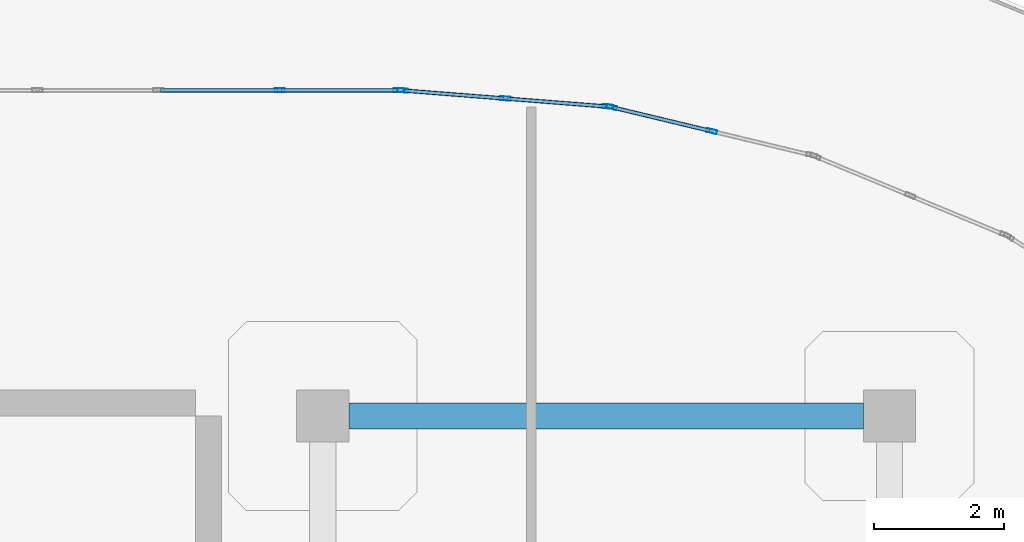
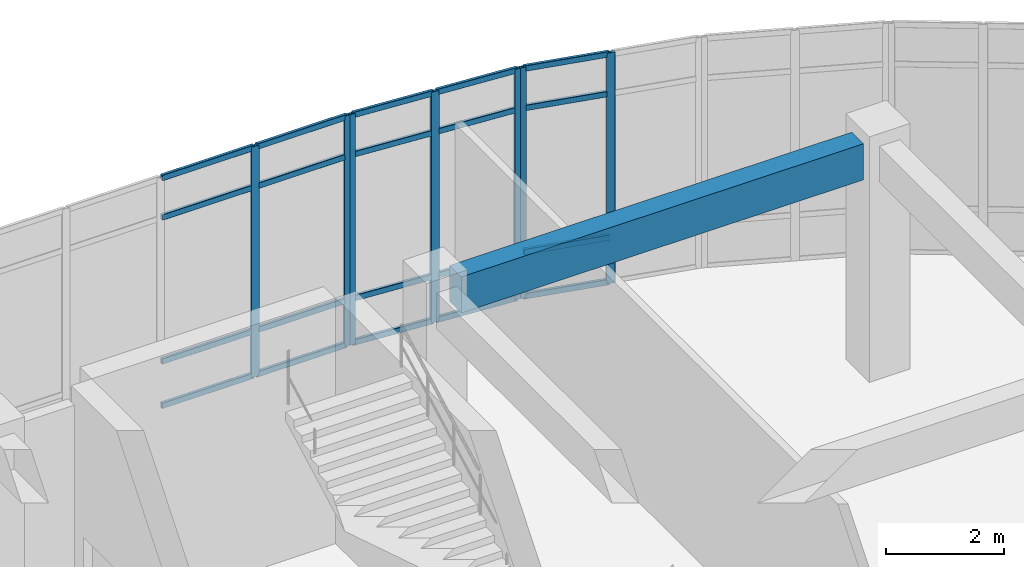
# One storey, part 69 of 124: 27 members, 1 beam, 3 elements without a shape of their own.
"""IFC4 building model written with IfcOpenShell, lengths in metres."""

from ifc_helpers import new_model, si_unit, derived_unit, direction, frame, origin, origin_2d, place, context, subcontext, project, spatial, rectangle, hollow_rectangle, extrude, material, layer, layer_set, material_profile, profile_set, type_object, element, aggregate, save


model = new_model("IFC4")

# Units and contexts
model_context = context("Model", 3, precision=1e-05, world=origin(), true_north=direction((0.0, 1.0)))
body_context = subcontext(model_context, "Body", "Model", "MODEL_VIEW")
ifc_project = project(units=[si_unit("LENGTHUNIT", "METRE"), si_unit("AREAUNIT", "SQUARE_METRE"), si_unit("VOLUMEUNIT", "CUBIC_METRE"), si_unit("PLANEANGLEUNIT", "RADIAN"), si_unit("MASSUNIT", "GRAM", prefix="KILO"), derived_unit("THERMALTRANSMITTANCEUNIT", [(si_unit("MASSUNIT", "GRAM", prefix="KILO"), 1), (si_unit("TIMEUNIT", "SECOND"), -3), (si_unit("THERMODYNAMICTEMPERATUREUNIT", "KELVIN"), -1)])], contexts=[model_context])

# Site, building, storey
site_placement = place(None, origin())
site = spatial("IfcSite", under=ifc_project, at=site_placement, CompositionType="ELEMENT")
building_placement = place(site_placement, origin())
building = spatial("IfcBuilding", under=site, at=building_placement, Name="Qinzheling Arcade Emporium", CompositionType="ELEMENT")
storey_placement = place(building_placement, frame((0.0, 0.0, 16.5)))
storey = spatial("IfcBuildingStorey", under=building, at=storey_placement, Name="L04", CompositionType="ELEMENT", Elevation=16.5)

# Curtain wall, members
ifc_material_1 = material(Name="Anodised aluminium and solar-control double glazing", Category="aluminium")
ifc_layer_1 = layer(ifc_material_1, 0.159912109375, Name="Anodised aluminium and solar-control double glazing", Category="aluminium")
ifc_layer_set_1 = layer_set([ifc_layer_1], Name="Anodised aluminium and solar-control double glazing")
curtain_wall_type_1 = type_object("IfcCurtainWallType", Name="Arcade Portal Glazed Curtain Wall", PredefinedType="NOTDEFINED", material=ifc_layer_set_1)
curtain_wall_1_placement = place(storey_placement, origin())
curtain_wall_1 = element("IfcCurtainWall", 1, at=curtain_wall_1_placement, inside=storey, type_object=curtain_wall_type_1, Name="Curtain Wall CW-L04-263", PredefinedType="NOTDEFINED")
ifc_material_2 = material(Name="Anodised aluminium 6063-T6", Category="aluminium")
ifc_material_profile_1 = material_profile(ifc_material_2, hollow_rectangle(XDim=0.06005859375, YDim=0.159912109375, WallThickness=0.00390625, InnerFilletRadius=0.00390625, OuterFilletRadius=0.008056640625, at=origin_2d()), Name="RHS 160x60x4", Category="aluminium")
ifc_profile_set_1 = profile_set([ifc_material_profile_1], Name="Anodised aluminium 6063-T6")
member_type_1 = type_object("IfcMemberType", Name="Curtain Wall Mullion RHS160x60", PredefinedType="MULLION", material=ifc_profile_set_1)
member_1_placement = place(storey_placement, frame((121.140380859375, 111.800048828125, 0.0), z_axis=(0.0, 0.0, 1.0), x_axis=(0.0, 1.0, 0.0)))
member_1 = element("IfcMember", 2, at=member_1_placement, type_object=member_type_1, Name="CW05 mullion 5", PredefinedType="MULLION", context=body_context, shape_type="SweptSolid", body=[
    extrude(hollow_rectangle(XDim=0.06005859375, YDim=0.159912109375, WallThickness=0.00390625, InnerFilletRadius=0.00390625, OuterFilletRadius=0.008056640625, at=origin_2d()), origin(), (0.0, 0.0, 1.0), 4.7900390625),
])
member_2_placement = place(storey_placement, frame((122.969970703125, 111.800048828125, 0.0), z_axis=(0.0, 0.0, 1.0), x_axis=(0.0, 1.0, 0.0)))
member_2 = element("IfcMember", 3, at=member_2_placement, type_object=member_type_1, Name="CW05 mullion 6", PredefinedType="MULLION", context=body_context, shape_type="SweptSolid", body=[
    extrude(hollow_rectangle(XDim=0.06005859375, YDim=0.159912109375, WallThickness=0.00390625, InnerFilletRadius=0.00390625, OuterFilletRadius=0.008056640625, at=origin_2d()), origin(), (0.0, 0.0, 1.0), 4.7900390625),
])

ifc_layer_2 = layer(ifc_material_1, 0.159912109375, Name="Anodised aluminium and solar-control double glazing", Category="aluminium")
ifc_layer_set_2 = layer_set([ifc_layer_2], Name="Anodised aluminium and solar-control double glazing")
curtain_wall_type_2 = type_object("IfcCurtainWallType", Name="Curved Ribbon Sales Curtain Wall", PredefinedType="NOTDEFINED", material=ifc_layer_set_2)
curtain_wall_2_placement = place(storey_placement, origin())
curtain_wall_2 = element("IfcCurtainWall", 4, at=curtain_wall_2_placement, inside=storey, type_object=curtain_wall_type_2, Name="Curtain Wall CW-L04-264", PredefinedType="NOTDEFINED")
member_3_placement = place(storey_placement, frame((123.030029296875, 111.797607421875, 0.0), z_axis=(0.0, 0.0, 1.0), x_axis=(0.078336637005, 0.996926963876, 0.0)))
member_3 = element("IfcMember", 5, at=member_3_placement, type_object=member_type_1, Name="CW02 mullion 1", PredefinedType="MULLION", context=body_context, shape_type="SweptSolid", body=[
    extrude(hollow_rectangle(XDim=0.06005859375, YDim=0.159912109375, WallThickness=0.00390625, InnerFilletRadius=0.00390625, OuterFilletRadius=0.008056640625, at=origin_2d()), origin(), (0.0, 0.0, 1.0), 4.7900390625),
])
member_4_placement = place(storey_placement, frame((124.603515625, 111.674072265625, 0.0), z_axis=(0.0, 0.0, 1.0), x_axis=(0.078336637005, 0.996926963876, 0.0)))
member_4 = element("IfcMember", 6, at=member_4_placement, type_object=member_type_1, Name="CW02 mullion 2", PredefinedType="MULLION", context=body_context, shape_type="SweptSolid", body=[
    extrude(hollow_rectangle(XDim=0.06005859375, YDim=0.159912109375, WallThickness=0.00390625, InnerFilletRadius=0.00390625, OuterFilletRadius=0.008056640625, at=origin_2d()), origin(), (0.0, 0.0, 1.0), 4.7900390625),
])
member_5_placement = place(storey_placement, frame((126.177001953125, 111.55029296875, 0.0), z_axis=(0.0, 0.0, 1.0), x_axis=(0.078336637005, 0.996926963876, 0.0)))
member_5 = element("IfcMember", 7, at=member_5_placement, type_object=member_type_1, Name="CW02 mullion 3", PredefinedType="MULLION", context=body_context, shape_type="SweptSolid", body=[
    extrude(hollow_rectangle(XDim=0.06005859375, YDim=0.159912109375, WallThickness=0.00390625, InnerFilletRadius=0.00390625, OuterFilletRadius=0.008056640625, at=origin_2d()), origin(), (0.0, 0.0, 1.0), 4.7900390625),
])

curtain_wall_3_placement = place(storey_placement, origin())
curtain_wall_3 = element("IfcCurtainWall", 8, at=curtain_wall_3_placement, inside=storey, type_object=curtain_wall_type_2, Name="Curtain Wall CW-L04-265", PredefinedType="NOTDEFINED")
member_6_placement = place(storey_placement, frame((126.236083984375, 111.541015625, 0.0), z_axis=(0.0, 0.0, 1.0), x_axis=(0.233455251725, 0.972367546477, 0.0)))
member_6 = element("IfcMember", 9, at=member_6_placement, type_object=member_type_1, Name="CW02 mullion 1", PredefinedType="MULLION", context=body_context, shape_type="SweptSolid", body=[
    extrude(hollow_rectangle(XDim=0.06005859375, YDim=0.159912109375, WallThickness=0.00390625, InnerFilletRadius=0.00390625, OuterFilletRadius=0.008056640625, at=origin_2d()), origin(), (0.0, 0.0, 1.0), 4.7900390625),
])
member_7_placement = place(storey_placement, frame((127.77099609375, 111.172607421875, 0.0), z_axis=(0.0, 0.0, 1.0), x_axis=(0.233455251725, 0.972367546477, 0.0)))
member_7 = element("IfcMember", 10, at=member_7_placement, type_object=member_type_1, Name="CW02 mullion 2", PredefinedType="MULLION", context=body_context, shape_type="SweptSolid", body=[
    extrude(hollow_rectangle(XDim=0.06005859375, YDim=0.159912109375, WallThickness=0.00390625, InnerFilletRadius=0.00390625, OuterFilletRadius=0.008056640625, at=origin_2d()), origin(), (0.0, 0.0, 1.0), 4.7900390625),
])

# Member
ifc_material_profile_2 = material_profile(ifc_material_2, hollow_rectangle(XDim=0.06005859375, YDim=0.1201171875, WallThickness=0.00390625, InnerFilletRadius=0.00390625, OuterFilletRadius=0.008056640625, at=origin_2d()), Name="RHS 120x60x4", Category="aluminium")
ifc_profile_set_2 = profile_set([ifc_material_profile_2], Name="Anodised aluminium 6063-T6")
member_type_2 = type_object("IfcMemberType", Name="Curtain Wall Transom RHS120x60", PredefinedType="USERDEFINED", material=ifc_profile_set_2)
member_8_placement = place(storey_placement, frame((119.310791015625, 111.800048828125, 0.030029296875), z_axis=(1.0, 0.0, 0.0), x_axis=(0.0, 1.0, 0.0)))
member_8 = element("IfcMember", 11, at=member_8_placement, type_object=member_type_2, Name="CW05 transom 4.1", ObjectType="TRANSOM", PredefinedType="USERDEFINED", context=body_context, shape_type="SweptSolid", body=[
    extrude(hollow_rectangle(XDim=0.06005859375, YDim=0.1201171875, WallThickness=0.00390625, InnerFilletRadius=0.00390625, OuterFilletRadius=0.008056640625, at=origin_2d()), origin(), (0.0, 0.0, 1.0), 1.799560546875),
])

member_9_placement = place(storey_placement, frame((119.310791015625, 111.800048828125, 0.949951171875), z_axis=(1.0, 0.0, 0.0), x_axis=(0.0, 1.0, 0.0)))
member_9 = element("IfcMember", 12, at=member_9_placement, type_object=member_type_2, Name="CW05 transom 4.2", ObjectType="TRANSOM", PredefinedType="USERDEFINED", context=body_context, shape_type="SweptSolid", body=[
    extrude(hollow_rectangle(XDim=0.06005859375, YDim=0.1201171875, WallThickness=0.00390625, InnerFilletRadius=0.00390625, OuterFilletRadius=0.008056640625, at=origin_2d()), origin(), (0.0, 0.0, 1.0), 1.799560546875),
])

member_10_placement = place(storey_placement, frame((119.310791015625, 111.800048828125, 3.93994140625), z_axis=(1.0, 0.0, 0.0), x_axis=(0.0, 1.0, 0.0)))
member_10 = element("IfcMember", 13, at=member_10_placement, type_object=member_type_2, Name="CW05 transom 4.3", ObjectType="TRANSOM", PredefinedType="USERDEFINED", context=body_context, shape_type="SweptSolid", body=[
    extrude(hollow_rectangle(XDim=0.06005859375, YDim=0.1201171875, WallThickness=0.00390625, InnerFilletRadius=0.00390625, OuterFilletRadius=0.008056640625, at=origin_2d()), origin(), (0.0, 0.0, 1.0), 1.799560546875),
])

member_11_placement = place(storey_placement, frame((119.310791015625, 111.800048828125, 4.760009765625), z_axis=(1.0, 0.0, 0.0), x_axis=(0.0, 1.0, 0.0)))
member_11 = element("IfcMember", 14, at=member_11_placement, type_object=member_type_2, Name="CW05 transom 4.4", ObjectType="TRANSOM", PredefinedType="USERDEFINED", context=body_context, shape_type="SweptSolid", body=[
    extrude(hollow_rectangle(XDim=0.06005859375, YDim=0.1201171875, WallThickness=0.00390625, InnerFilletRadius=0.00390625, OuterFilletRadius=0.008056640625, at=origin_2d()), origin(), (0.0, 0.0, 1.0), 1.799560546875),
])

member_12_placement = place(storey_placement, frame((121.17041015625, 111.800048828125, 0.030029296875), z_axis=(1.0, 0.0, 0.0), x_axis=(0.0, 1.0, 0.0)))
member_12 = element("IfcMember", 15, at=member_12_placement, type_object=member_type_2, Name="CW05 transom 5.1", ObjectType="TRANSOM", PredefinedType="USERDEFINED", context=body_context, shape_type="SweptSolid", body=[
    extrude(hollow_rectangle(XDim=0.06005859375, YDim=0.1201171875, WallThickness=0.00390625, InnerFilletRadius=0.00390625, OuterFilletRadius=0.008056640625, at=origin_2d()), origin(), (0.0, 0.0, 1.0), 1.76953125),
])

member_13_placement = place(storey_placement, frame((121.17041015625, 111.800048828125, 0.949951171875), z_axis=(1.0, 0.0, 0.0), x_axis=(0.0, 1.0, 0.0)))
member_13 = element("IfcMember", 16, at=member_13_placement, type_object=member_type_2, Name="CW05 transom 5.2", ObjectType="TRANSOM", PredefinedType="USERDEFINED", context=body_context, shape_type="SweptSolid", body=[
    extrude(hollow_rectangle(XDim=0.06005859375, YDim=0.1201171875, WallThickness=0.00390625, InnerFilletRadius=0.00390625, OuterFilletRadius=0.008056640625, at=origin_2d()), origin(), (0.0, 0.0, 1.0), 1.76953125),
])

member_14_placement = place(storey_placement, frame((121.17041015625, 111.800048828125, 3.93994140625), z_axis=(1.0, 0.0, 0.0), x_axis=(0.0, 1.0, 0.0)))
member_14 = element("IfcMember", 17, at=member_14_placement, type_object=member_type_2, Name="CW05 transom 5.3", ObjectType="TRANSOM", PredefinedType="USERDEFINED", context=body_context, shape_type="SweptSolid", body=[
    extrude(hollow_rectangle(XDim=0.06005859375, YDim=0.1201171875, WallThickness=0.00390625, InnerFilletRadius=0.00390625, OuterFilletRadius=0.008056640625, at=origin_2d()), origin(), (0.0, 0.0, 1.0), 1.76953125),
])

member_15_placement = place(storey_placement, frame((121.17041015625, 111.800048828125, 4.760009765625), z_axis=(1.0, 0.0, 0.0), x_axis=(0.0, 1.0, 0.0)))
member_15 = element("IfcMember", 18, at=member_15_placement, type_object=member_type_2, Name="CW05 transom 5.4", ObjectType="TRANSOM", PredefinedType="USERDEFINED", context=body_context, shape_type="SweptSolid", body=[
    extrude(hollow_rectangle(XDim=0.06005859375, YDim=0.1201171875, WallThickness=0.00390625, InnerFilletRadius=0.00390625, OuterFilletRadius=0.008056640625, at=origin_2d()), origin(), (0.0, 0.0, 1.0), 1.76953125),
])

aggregate(curtain_wall_1, [member_1, member_2, member_8, member_9, member_10, member_11, member_12, member_13, member_14, member_15])

member_16_placement = place(storey_placement, frame((123.059814453125, 111.79541015625, 0.030029296875), z_axis=(0.996916712186, -0.07846699283, 0.0), x_axis=(0.07846699283, 0.996916712186, 0.0)))
member_16 = element("IfcMember", 19, at=member_16_placement, type_object=member_type_2, Name="CW02 transom 1.1", ObjectType="TRANSOM", PredefinedType="USERDEFINED", context=body_context, shape_type="SweptSolid", body=[
    extrude(hollow_rectangle(XDim=0.06005859375, YDim=0.1201171875, WallThickness=0.00390625, InnerFilletRadius=0.00390625, OuterFilletRadius=0.008056640625, at=origin_2d()), origin(), (0.0, 0.0, 1.0), 1.518310546875),
])

member_17_placement = place(storey_placement, frame((123.059814453125, 111.79541015625, 0.949951171875), z_axis=(0.996916712186, -0.07846699283, 0.0), x_axis=(0.07846699283, 0.996916712186, 0.0)))
member_17 = element("IfcMember", 20, at=member_17_placement, type_object=member_type_2, Name="CW02 transom 1.2", ObjectType="TRANSOM", PredefinedType="USERDEFINED", context=body_context, shape_type="SweptSolid", body=[
    extrude(hollow_rectangle(XDim=0.06005859375, YDim=0.1201171875, WallThickness=0.00390625, InnerFilletRadius=0.00390625, OuterFilletRadius=0.008056640625, at=origin_2d()), origin(), (0.0, 0.0, 1.0), 1.518310546875),
])

member_18_placement = place(storey_placement, frame((123.059814453125, 111.79541015625, 3.93994140625), z_axis=(0.996916712186, -0.07846699283, 0.0), x_axis=(0.07846699283, 0.996916712186, 0.0)))
member_18 = element("IfcMember", 21, at=member_18_placement, type_object=member_type_2, Name="CW02 transom 1.3", ObjectType="TRANSOM", PredefinedType="USERDEFINED", context=body_context, shape_type="SweptSolid", body=[
    extrude(hollow_rectangle(XDim=0.06005859375, YDim=0.1201171875, WallThickness=0.00390625, InnerFilletRadius=0.00390625, OuterFilletRadius=0.008056640625, at=origin_2d()), origin(), (0.0, 0.0, 1.0), 1.518310546875),
])

member_19_placement = place(storey_placement, frame((123.059814453125, 111.79541015625, 4.760009765625), z_axis=(0.996916712186, -0.07846699283, 0.0), x_axis=(0.07846699283, 0.996916712186, 0.0)))
member_19 = element("IfcMember", 22, at=member_19_placement, type_object=member_type_2, Name="CW02 transom 1.4", ObjectType="TRANSOM", PredefinedType="USERDEFINED", context=body_context, shape_type="SweptSolid", body=[
    extrude(hollow_rectangle(XDim=0.06005859375, YDim=0.1201171875, WallThickness=0.00390625, InnerFilletRadius=0.00390625, OuterFilletRadius=0.008056640625, at=origin_2d()), origin(), (0.0, 0.0, 1.0), 1.518310546875),
])

member_20_placement = place(storey_placement, frame((124.63330078125, 111.671630859375, 0.030029296875), z_axis=(0.99693026334, -0.078294636066, 0.0), x_axis=(0.078294636066, 0.99693026334, 0.0)))
member_20 = element("IfcMember", 23, at=member_20_placement, type_object=member_type_2, Name="CW02 transom 2.1", ObjectType="TRANSOM", PredefinedType="USERDEFINED", context=body_context, shape_type="SweptSolid", body=[
    extrude(hollow_rectangle(XDim=0.06005859375, YDim=0.1201171875, WallThickness=0.00390625, InnerFilletRadius=0.00390625, OuterFilletRadius=0.008056640625, at=origin_2d()), origin(), (0.0, 0.0, 1.0), 1.5185546875),
])

member_21_placement = place(storey_placement, frame((124.63330078125, 111.671630859375, 0.949951171875), z_axis=(0.99693026334, -0.078294636066, 0.0), x_axis=(0.078294636066, 0.99693026334, 0.0)))
member_21 = element("IfcMember", 24, at=member_21_placement, type_object=member_type_2, Name="CW02 transom 2.2", ObjectType="TRANSOM", PredefinedType="USERDEFINED", context=body_context, shape_type="SweptSolid", body=[
    extrude(hollow_rectangle(XDim=0.06005859375, YDim=0.1201171875, WallThickness=0.00390625, InnerFilletRadius=0.00390625, OuterFilletRadius=0.008056640625, at=origin_2d()), origin(), (0.0, 0.0, 1.0), 1.5185546875),
])

member_22_placement = place(storey_placement, frame((124.63330078125, 111.671630859375, 3.93994140625), z_axis=(0.99693026334, -0.078294636066, 0.0), x_axis=(0.078294636066, 0.99693026334, 0.0)))
member_22 = element("IfcMember", 25, at=member_22_placement, type_object=member_type_2, Name="CW02 transom 2.3", ObjectType="TRANSOM", PredefinedType="USERDEFINED", context=body_context, shape_type="SweptSolid", body=[
    extrude(hollow_rectangle(XDim=0.06005859375, YDim=0.1201171875, WallThickness=0.00390625, InnerFilletRadius=0.00390625, OuterFilletRadius=0.008056640625, at=origin_2d()), origin(), (0.0, 0.0, 1.0), 1.5185546875),
])

member_23_placement = place(storey_placement, frame((124.63330078125, 111.671630859375, 4.760009765625), z_axis=(0.99693026334, -0.078294636066, 0.0), x_axis=(0.078294636066, 0.99693026334, 0.0)))
member_23 = element("IfcMember", 26, at=member_23_placement, type_object=member_type_2, Name="CW02 transom 2.4", ObjectType="TRANSOM", PredefinedType="USERDEFINED", context=body_context, shape_type="SweptSolid", body=[
    extrude(hollow_rectangle(XDim=0.06005859375, YDim=0.1201171875, WallThickness=0.00390625, InnerFilletRadius=0.00390625, OuterFilletRadius=0.008056640625, at=origin_2d()), origin(), (0.0, 0.0, 1.0), 1.5185546875),
])

aggregate(curtain_wall_2, [member_3, member_4, member_5, member_16, member_17, member_18, member_19, member_20, member_21, member_22, member_23])

member_24_placement = place(storey_placement, frame((126.265380859375, 111.533935546875, 0.030029296875), z_axis=(0.972369786639, -0.233445920999, 0.0), x_axis=(0.233445920999, 0.972369786639, 0.0)))
member_24 = element("IfcMember", 27, at=member_24_placement, type_object=member_type_2, Name="CW02 transom 1.1", ObjectType="TRANSOM", PredefinedType="USERDEFINED", context=body_context, shape_type="SweptSolid", body=[
    extrude(hollow_rectangle(XDim=0.06005859375, YDim=0.1201171875, WallThickness=0.00390625, InnerFilletRadius=0.00390625, OuterFilletRadius=0.008056640625, at=origin_2d()), origin(), (0.0, 0.0, 1.0), 1.5185546875),
])

member_25_placement = place(storey_placement, frame((126.265380859375, 111.533935546875, 0.949951171875), z_axis=(0.972369786639, -0.233445920999, 0.0), x_axis=(0.233445920999, 0.972369786639, 0.0)))
member_25 = element("IfcMember", 28, at=member_25_placement, type_object=member_type_2, Name="CW02 transom 1.2", ObjectType="TRANSOM", PredefinedType="USERDEFINED", context=body_context, shape_type="SweptSolid", body=[
    extrude(hollow_rectangle(XDim=0.06005859375, YDim=0.1201171875, WallThickness=0.00390625, InnerFilletRadius=0.00390625, OuterFilletRadius=0.008056640625, at=origin_2d()), origin(), (0.0, 0.0, 1.0), 1.5185546875),
])

member_26_placement = place(storey_placement, frame((126.265380859375, 111.533935546875, 3.93994140625), z_axis=(0.972369786639, -0.233445920999, 0.0), x_axis=(0.233445920999, 0.972369786639, 0.0)))
member_26 = element("IfcMember", 29, at=member_26_placement, type_object=member_type_2, Name="CW02 transom 1.3", ObjectType="TRANSOM", PredefinedType="USERDEFINED", context=body_context, shape_type="SweptSolid", body=[
    extrude(hollow_rectangle(XDim=0.06005859375, YDim=0.1201171875, WallThickness=0.00390625, InnerFilletRadius=0.00390625, OuterFilletRadius=0.008056640625, at=origin_2d()), origin(), (0.0, 0.0, 1.0), 1.5185546875),
])

member_27_placement = place(storey_placement, frame((126.265380859375, 111.533935546875, 4.760009765625), z_axis=(0.972369786639, -0.233445920999, 0.0), x_axis=(0.233445920999, 0.972369786639, 0.0)))
member_27 = element("IfcMember", 30, at=member_27_placement, type_object=member_type_2, Name="CW02 transom 1.4", ObjectType="TRANSOM", PredefinedType="USERDEFINED", context=body_context, shape_type="SweptSolid", body=[
    extrude(hollow_rectangle(XDim=0.06005859375, YDim=0.1201171875, WallThickness=0.00390625, InnerFilletRadius=0.00390625, OuterFilletRadius=0.008056640625, at=origin_2d()), origin(), (0.0, 0.0, 1.0), 1.5185546875),
])

aggregate(curtain_wall_3, [member_6, member_7, member_24, member_25, member_26, member_27])

# Beam
ifc_material_3 = material(Name="Concrete C40", Category="concrete")
ifc_material_profile_3 = material_profile(ifc_material_3, rectangle(XDim=0.39990234375, YDim=0.75, at=origin_2d()), Name="RC 400x750", Category="concrete")
ifc_profile_set_3 = profile_set([ifc_material_profile_3], Name="Concrete C40")
beam_type = type_object("IfcBeamType", Name="RC Interior Tie Beam 400x750 C40", PredefinedType="BEAM", material=ifc_profile_set_3)
beam_placement = place(storey_placement, frame((122.199951171875, 106.800048828125, 4.4599609375), z_axis=(1.0, 0.0, 0.0), x_axis=(0.0, 1.0, 0.0)))
element("IfcBeam", 31, at=beam_placement, inside=storey, type_object=beam_type, Name="Beam BM-L04-X-N-15", PredefinedType="BEAM", context=body_context, shape_type="SweptSolid", body=[
    extrude(rectangle(XDim=0.39990234375, YDim=0.75, at=origin_2d()), origin(), (0.0, 0.0, 1.0), 7.900146484375),
])

save(model, "model.ifc")
